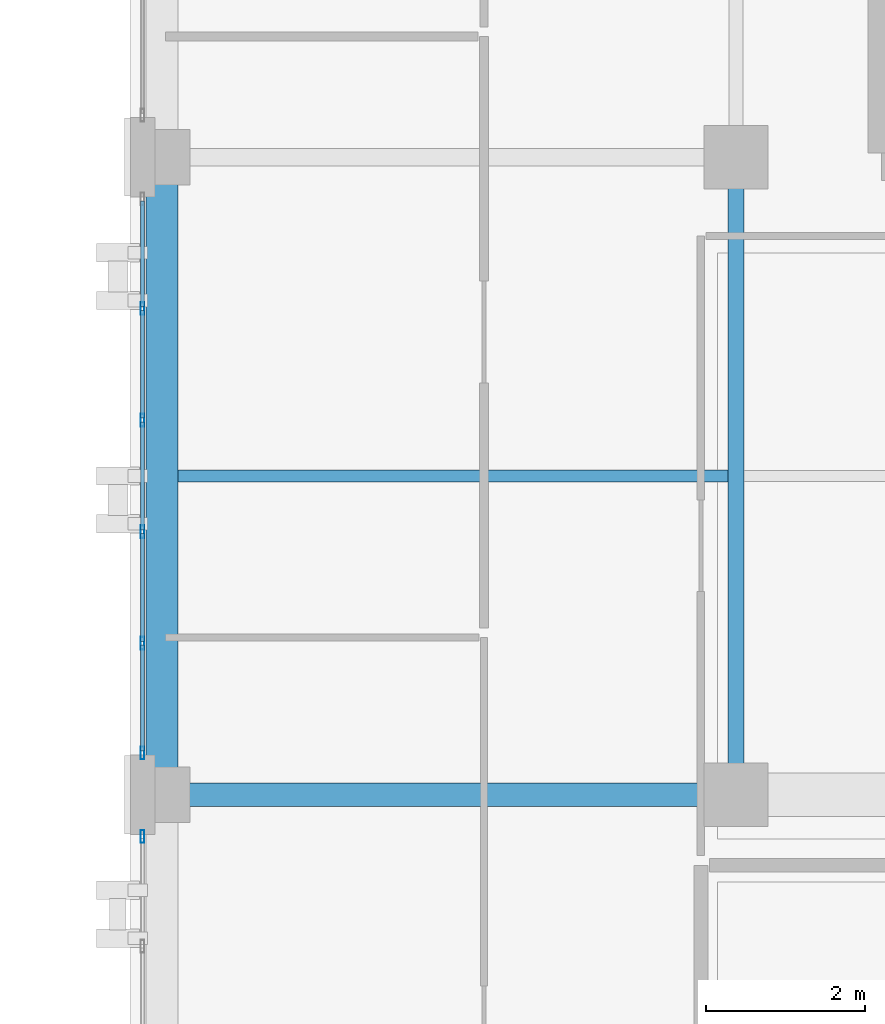
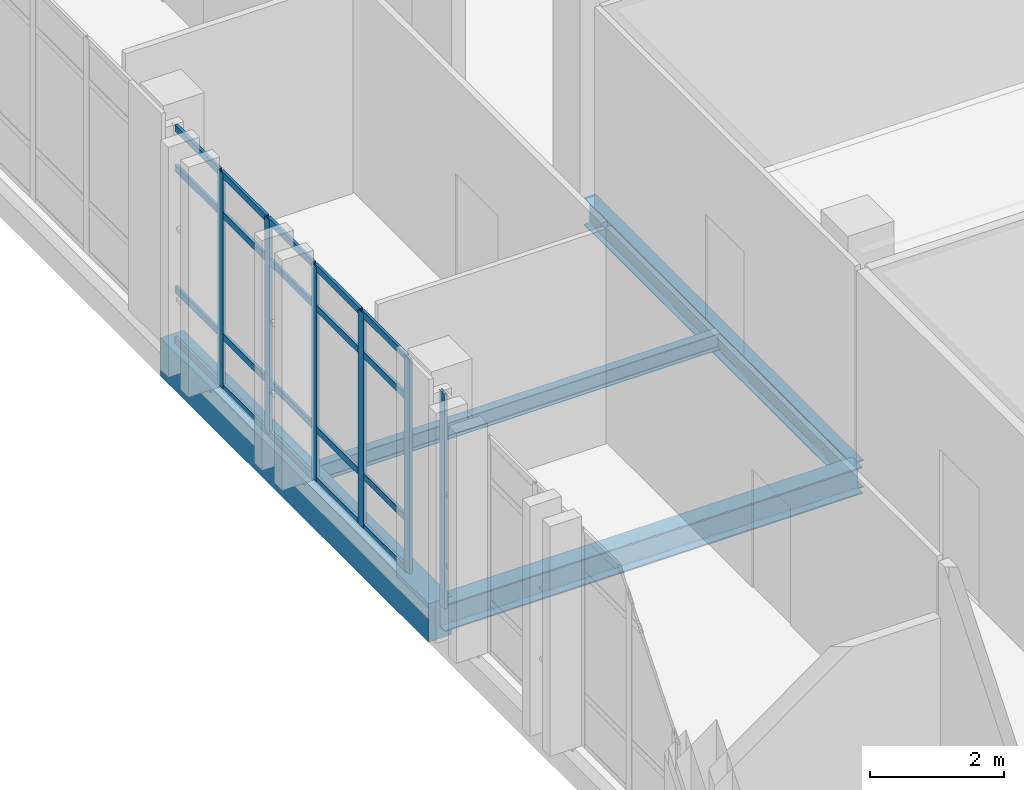
# One storey, part 64 of 193: 26 members, 4 beams, 2 elements without a shape of their own.
"""IFC4 building model written with IfcOpenShell, lengths in metres."""

import ifcopenshell
import ifcopenshell.guid

model = None  # the IFC model being written
_history = None  # IfcOwnerHistory: only IFC2X3 demands one
_inside = {}  # id of a spatial element -> (the spatial element, [elements in it])
_under = {}  # id of a project, library or spatial element -> (it, [spatial elements below it])
_declared = {}  # id of a project -> (the project, [libraries it declares])
_typed = {}  # id of a type object -> (the type object, [elements of that type])
_made_of = {}  # id of a material, layer set ... -> (it, [elements and type objects made of it])


def new_model(schema):
    """Start an empty IFC model of exactly this schema.

    Asked for "IFC4X3", IfcOpenShell would pick the latest addendum, in which some entities
    have other attributes; the version numbers below select the first issue.
    IFC2X3 requires an IfcOwnerHistory on every rooted entity: one is made here for all.
    """
    global model, _history
    if schema == "IFC4X3":
        model = ifcopenshell.file(schema_version=(4, 3, 0, 0))
    else:
        model = ifcopenshell.file(schema=schema)
    _inside.clear()
    _under.clear()
    _declared.clear()
    _typed.clear()
    _made_of.clear()
    _history = None
    if model.schema == "IFC2X3":
        org = make("IfcOrganization", Name="unknown")
        user = make(
            "IfcPersonAndOrganization",
            ThePerson=make("IfcPerson", FamilyName="unknown"),
            TheOrganization=org,
        )
        app = make(
            "IfcApplication",
            ApplicationDeveloper=org,
            Version="unknown",
            ApplicationFullName="unknown",
            ApplicationIdentifier="unknown",
        )
        _history = make(
            "IfcOwnerHistory",
            OwningUser=user,
            OwningApplication=app,
            ChangeAction="ADDED",
            CreationDate=0,
        )
    return model


def make(cls, **values):
    """One entity of the class cls with the attributes given. An attribute that is None is left unset."""
    return model.create_entity(
        cls, **{name: value for name, value in values.items() if value is not None}
    )


def rooted(cls, **values):
    """An entity with a GlobalId (a new one), such as an element, a storey or a relation."""
    return make(cls, GlobalId=ifcopenshell.guid.new(), OwnerHistory=_history, **values)


def si_unit(unit_type, name, prefix=None):
    """IfcSIUnit, for example si_unit("LENGTHUNIT", "METRE", prefix="MILLI")."""
    return make("IfcSIUnit", UnitType=unit_type, Prefix=prefix, Name=name)


def assignment(units):
    """IfcUnitAssignment: the units of a project."""
    return None if units is None else make("IfcUnitAssignment", Units=units)


def point(xyz):
    """IfcCartesianPoint."""
    return None if xyz is None else make("IfcCartesianPoint", Coordinates=xyz)


def direction(xyz):
    """IfcDirection."""
    return None if xyz is None else make("IfcDirection", DirectionRatios=xyz)


def frame(location, z_axis=None, x_axis=None):
    """IfcAxis2Placement3D, a coordinate frame: its origin and axes. An axis left out is left unset."""
    return make(
        "IfcAxis2Placement3D",
        Location=point(location),
        Axis=direction(z_axis),
        RefDirection=direction(x_axis),
    )


def frame_2d(location, x_axis=None):
    """IfcAxis2Placement2D, a coordinate frame in the plane: its origin and x axis."""
    return make(
        "IfcAxis2Placement2D", Location=point(location), RefDirection=direction(x_axis)
    )


def origin():
    """The frame at (0, 0, 0) with its axes left unset."""
    return frame((0.0, 0.0, 0.0))


def origin_2d():
    """The frame at (0, 0) in the plane with its x axis left unset."""
    return frame_2d((0.0, 0.0))


def place(relative_to, where):
    """IfcLocalPlacement: puts the frame where relative to a parent placement (None: the world)."""
    return make(
        "IfcLocalPlacement", PlacementRelTo=relative_to, RelativePlacement=where
    )


def context(
    kind, dimensions, precision=None, world=None, true_north=None, identifier=None
):
    """IfcGeometricRepresentationContext, for example the 3D "Model" context."""
    return make(
        "IfcGeometricRepresentationContext",
        ContextIdentifier=identifier,
        ContextType=kind,
        CoordinateSpaceDimension=dimensions,
        Precision=precision,
        WorldCoordinateSystem=world,
        TrueNorth=true_north,
    )


def subcontext(parent, identifier, kind, view, scale=None):
    """IfcGeometricRepresentationSubContext, for example "Body" below "Model"."""
    return make(
        "IfcGeometricRepresentationSubContext",
        ContextIdentifier=identifier,
        ContextType=kind,
        ParentContext=parent,
        TargetScale=scale,
        TargetView=view,
    )


def project(units=None, contexts=None):
    """IfcProject with its units and contexts."""
    return rooted(
        "IfcProject",
        Name="project",
        RepresentationContexts=contexts,
        UnitsInContext=assignment(units),
    )


def spatial(cls, under=None, at=None, **own):
    """A site, building, storey or space (cls), placed at a placement, below another one or the project."""
    s = rooted(cls, ObjectPlacement=at, **own)
    if under is not None:
        _under.setdefault(under.id(), (under, []))[1].append(s)
    return s


def profile(cls, at=None, kind="AREA", **sizes):
    """A parametric profile (cls). Its sizes go by their IFC names, for example OverallWidth=200.0."""
    return make(cls, ProfileType=kind, Position=at, **sizes)


def rectangle(**sizes):
    """IfcRectangleProfileDef."""
    return profile("IfcRectangleProfileDef", **sizes)


def hollow_rectangle(**sizes):
    """IfcRectangleHollowProfileDef."""
    return profile("IfcRectangleHollowProfileDef", **sizes)


def i_section(**sizes):
    """IfcIShapeProfileDef."""
    return profile("IfcIShapeProfileDef", **sizes)


def extrude(swept, where, along, depth):
    """IfcExtrudedAreaSolid: the profile swept, set in the frame where, extruded along a direction by depth."""
    return make(
        "IfcExtrudedAreaSolid",
        SweptArea=swept,
        Position=where,
        ExtrudedDirection=direction(along),
        Depth=depth,
    )


def shape(context_of_items, identifier, shape_type, items):
    """IfcShapeRepresentation: the items that make up one representation, for example the "Body"."""
    return make(
        "IfcShapeRepresentation",
        ContextOfItems=context_of_items,
        RepresentationIdentifier=identifier,
        RepresentationType=shape_type,
        Items=items,
    )


def material(Name=None, Category=None):
    """IfcMaterial."""
    return make("IfcMaterial", Name=Name, Category=Category)


def layer(
    of_material, thickness, ventilated=None, Name=None, Category=None, Priority=None
):
    """IfcMaterialLayer: one layer of a wall or slab, of a material (None: an air gap)."""
    return make(
        "IfcMaterialLayer",
        Material=of_material,
        LayerThickness=thickness,
        IsVentilated=ventilated,
        Name=Name,
        Category=Category,
        Priority=Priority,
    )


def layer_set(layers, Name=None):
    """IfcMaterialLayerSet."""
    return make("IfcMaterialLayerSet", MaterialLayers=layers, LayerSetName=Name)


def material_profile(
    of_material, cross_section, Name=None, Category=None, Priority=None
):
    """IfcMaterialProfile: a cross section and its material."""
    return make(
        "IfcMaterialProfile",
        Name=Name,
        Material=of_material,
        Profile=cross_section,
        Priority=Priority,
        Category=Category,
    )


def profile_set(profiles, Name=None, composite=None):
    """IfcMaterialProfileSet."""
    return make(
        "IfcMaterialProfileSet",
        Name=Name,
        MaterialProfiles=profiles,
        CompositeProfile=composite,
    )


def made_of(thing, what):
    """Note that an element or type object is made of a material, layer set ...; save() writes the relation."""
    if what is not None:
        _made_of.setdefault(what.id(), (what, []))[1].append(thing)
    return thing


def type_object(cls, material=None, **own):
    """A type object (cls), such as IfcWallType, which elements share."""
    return made_of(rooted(cls, **own), material)


def element(
    cls,
    number,
    at=None,
    inside=None,
    cuts=None,
    type_object=None,
    material=None,
    context=None,
    identifier="Body",
    shape_type=None,
    held_by="IfcProductDefinitionShape",
    body=None,
    shapes=None,
    **own,
):
    """One element of the class cls, such as IfcWall. Its Tag is "e" and its number.

    at: its placement. inside: the storey or other place that contains it. cuts: it is an
    opening in that element (IfcRelVoidsElement). A single representation is given by context,
    identifier, shape_type and body (its items); several are given by shapes. held_by: the class
    of the entity that holds the representations. save() writes the other relations.
    """
    e = rooted(cls, Tag="e%d" % number, ObjectPlacement=at, **own)
    if body is not None:
        shapes = [shape(context, identifier, shape_type, body)]
    if shapes is not None:
        e.Representation = make(held_by, Representations=shapes)
    if inside is not None:
        _inside.setdefault(inside.id(), (inside, []))[1].append(e)
    if cuts is not None:
        rooted(
            "IfcRelVoidsElement", RelatingBuildingElement=cuts, RelatedOpeningElement=e
        )
    if type_object is not None:
        _typed.setdefault(type_object.id(), (type_object, []))[1].append(e)
    return made_of(e, material)


def aggregate(whole, parts):
    """IfcRelAggregates: a whole, such as a stair, and the parts it consists of."""
    return rooted("IfcRelAggregates", RelatingObject=whole, RelatedObjects=parts)


def save(model, path):
    """Write the relations noted so far, then the file.

    IfcRelAggregates (storeys below a building ...), IfcRelContainedInSpatialStructure (elements
    in a storey), IfcRelDefinesByType, IfcRelAssociatesMaterial and IfcRelDeclares: one each for
    every whole, place, type object, material and project.
    """
    for whole, parts in _under.values():
        aggregate(whole, parts)
    for where, things in _inside.values():
        rooted(
            "IfcRelContainedInSpatialStructure",
            RelatedElements=things,
            RelatingStructure=where,
        )
    for kind, things in _typed.values():
        rooted("IfcRelDefinesByType", RelatedObjects=things, RelatingType=kind)
    for what, things in _made_of.values():
        rooted("IfcRelAssociatesMaterial", RelatedObjects=things, RelatingMaterial=what)
    for by, libraries in _declared.values():
        rooted("IfcRelDeclares", RelatingContext=by, RelatedDefinitions=libraries)
    model.write(path)


model = new_model("IFC4")

# Units and contexts
model_context = context("Model", 3, precision=1e-05, world=origin(), true_north=direction((0.0, 1.0)))
body_context = subcontext(model_context, "Body", "Model", "MODEL_VIEW")
ifc_project = project(units=[si_unit("LENGTHUNIT", "METRE"), si_unit("AREAUNIT", "SQUARE_METRE"), si_unit("VOLUMEUNIT", "CUBIC_METRE"), si_unit("PLANEANGLEUNIT", "RADIAN"), si_unit("MASSUNIT", "GRAM", prefix="KILO")], contexts=[model_context])

# Site, building, storey
site_placement = place(None, origin())
site = spatial("IfcSite", under=ifc_project, at=site_placement, CompositionType="ELEMENT")
building_placement = place(site_placement, origin())
building = spatial("IfcBuilding", under=site, at=building_placement, Name="Qalavern Law Courts", CompositionType="ELEMENT")
storey_placement = place(building_placement, frame((0.0, 0.0, 10.199951171875)))
storey = spatial("IfcBuildingStorey", under=building, at=storey_placement, Name="L02", CompositionType="ELEMENT", Elevation=10.199951171875)

# Curtain wall, members
ifc_material_1 = material(Name="Anodised aluminium and insulated glazing", Category="aluminium")
ifc_layer = layer(ifc_material_1, 0.172119140625)
ifc_layer_set = layer_set([ifc_layer], Name="Anodised aluminium and insulated glazing")
curtain_wall_type = type_object("IfcCurtainWallType", Name="ENV-CW-COURT", PredefinedType="USERDEFINED", material=ifc_layer_set)
curtain_wall_1_placement = place(storey_placement, origin())
curtain_wall_1 = element("IfcCurtainWall", 1, at=curtain_wall_1_placement, inside=storey, type_object=curtain_wall_type, Name="V4 unitised curtain wall L02 west 4", ObjectType="UNITISED CURTAIN WALL", PredefinedType="USERDEFINED")
ifc_material_2 = material(Name="Anodised aluminium", Category="aluminium")
ifc_material_profile_1 = material_profile(ifc_material_2, hollow_rectangle(XDim=0.048095703125, YDim=0.159912109375, WallThickness=0.00390625, at=origin_2d()), Name="ALU MULLION 48x160")
ifc_profile_set_1 = profile_set([ifc_material_profile_1], Name="Anodised aluminium")
member_type_1 = type_object("IfcMemberType", Name="ENV-CWM-48x160", PredefinedType="MULLION", material=ifc_profile_set_1)
member_1_placement = place(storey_placement, frame((84.35498046875, 63.5, 0.0), z_axis=(0.0, 0.0, 1.0), x_axis=(1.0, 0.0, 0.0)))
member_1 = element("IfcMember", 2, at=member_1_placement, type_object=member_type_1, Name="CW-03 mullion 2", PredefinedType="MULLION", context=body_context, shape_type="SweptSolid", body=[
    extrude(hollow_rectangle(XDim=0.048095703125, YDim=0.159912109375, WallThickness=0.00390625, at=origin_2d()), origin(), (0.0, 0.0, 1.0), 3.9150390625),
])
member_2_placement = place(storey_placement, frame((84.35498046875, 62.10009765625, 0.0), z_axis=(0.0, 0.0, 1.0), x_axis=(1.0, 0.0, 0.0)))
member_2 = element("IfcMember", 3, at=member_2_placement, type_object=member_type_1, Name="CW-03 mullion 3", PredefinedType="MULLION", context=body_context, shape_type="SweptSolid", body=[
    extrude(hollow_rectangle(XDim=0.048095703125, YDim=0.159912109375, WallThickness=0.00390625, at=origin_2d()), origin(), (0.0, 0.0, 1.0), 3.9150390625),
])
member_3_placement = place(storey_placement, frame((84.35498046875, 60.699951171875, 0.0), z_axis=(0.0, 0.0, 1.0), x_axis=(1.0, 0.0, 0.0)))
member_3 = element("IfcMember", 4, at=member_3_placement, type_object=member_type_1, Name="CW-03 mullion 4", PredefinedType="MULLION", context=body_context, shape_type="SweptSolid", body=[
    extrude(hollow_rectangle(XDim=0.048095703125, YDim=0.159912109375, WallThickness=0.00390625, at=origin_2d()), origin(), (0.0, 0.0, 1.0), 3.9150390625),
])
member_4_placement = place(storey_placement, frame((84.35498046875, 59.300048828125, 0.0), z_axis=(0.0, 0.0, 1.0), x_axis=(1.0, 0.0, 0.0)))
member_4 = element("IfcMember", 5, at=member_4_placement, type_object=member_type_1, Name="CW-03 mullion 5", PredefinedType="MULLION", context=body_context, shape_type="SweptSolid", body=[
    extrude(hollow_rectangle(XDim=0.048095703125, YDim=0.159912109375, WallThickness=0.00390625, at=origin_2d()), origin(), (0.0, 0.0, 1.0), 3.9150390625),
])
member_5_placement = place(storey_placement, frame((84.35498046875, 57.924072265625, 0.0), z_axis=(0.0, 0.0, 1.0), x_axis=(1.0, 0.0, 0.0)))
member_5 = element("IfcMember", 6, at=member_5_placement, type_object=member_type_1, Name="CW-03 mullion 6", PredefinedType="MULLION", context=body_context, shape_type="SweptSolid", body=[
    extrude(hollow_rectangle(XDim=0.048095703125, YDim=0.159912109375, WallThickness=0.00390625, at=origin_2d()), origin(), (0.0, 0.0, 1.0), 3.9150390625),
])

# Curtain wall, member
curtain_wall_2_placement = place(storey_placement, origin())
curtain_wall_2 = element("IfcCurtainWall", 7, at=curtain_wall_2_placement, inside=storey, type_object=curtain_wall_type, Name="V4 unitised curtain wall L02 west 5", ObjectType="UNITISED CURTAIN WALL", PredefinedType="USERDEFINED")
member_6_placement = place(storey_placement, frame((84.35498046875, 56.8759765625, 0.0), z_axis=(0.0, 0.0, 1.0), x_axis=(1.0, 0.0, 0.0)))
member_6 = element("IfcMember", 8, at=member_6_placement, type_object=member_type_1, Name="CW-03 mullion 1", PredefinedType="MULLION", context=body_context, shape_type="SweptSolid", body=[
    extrude(hollow_rectangle(XDim=0.048095703125, YDim=0.159912109375, WallThickness=0.00390625, at=origin_2d()), origin(), (0.0, 0.0, 1.0), 3.9150390625),
])
aggregate(curtain_wall_2, [member_6])

# Member
ifc_material_profile_2 = material_profile(ifc_material_2, hollow_rectangle(XDim=0.048095703125, YDim=0.1201171875, WallThickness=0.00390625, at=origin_2d()), Name="ALU TRANSOM 48x120")
ifc_profile_set_2 = profile_set([ifc_material_profile_2], Name="Anodised aluminium")
member_type_2 = type_object("IfcMemberType", Name="ENV-CWT-48x120", PredefinedType="USERDEFINED", material=ifc_profile_set_2)
member_7_placement = place(storey_placement, frame((84.35498046875, 64.85205078125, 0.024169921875), z_axis=(0.0, -1.0, 0.0), x_axis=(1.0, 0.0, 0.0)))
member_7 = element("IfcMember", 9, at=member_7_placement, type_object=member_type_2, Name="CW-03 transom 1.1", ObjectType="TRANSOM", PredefinedType="USERDEFINED", context=body_context, shape_type="SweptSolid", body=[
    extrude(hollow_rectangle(XDim=0.048095703125, YDim=0.1201171875, WallThickness=0.00390625, at=origin_2d()), origin(), (0.0, 0.0, 1.0), 1.328125),
])

member_8_placement = place(storey_placement, frame((84.35498046875, 64.85205078125, 0.949951171875), z_axis=(0.0, -1.0, 0.0), x_axis=(1.0, 0.0, 0.0)))
member_8 = element("IfcMember", 10, at=member_8_placement, type_object=member_type_2, Name="CW-03 transom 1.2", ObjectType="TRANSOM", PredefinedType="USERDEFINED", context=body_context, shape_type="SweptSolid", body=[
    extrude(hollow_rectangle(XDim=0.048095703125, YDim=0.1201171875, WallThickness=0.00390625, at=origin_2d()), origin(), (0.0, 0.0, 1.0), 1.328125),
])

member_9_placement = place(storey_placement, frame((84.35498046875, 64.85205078125, 3.1650390625), z_axis=(0.0, -1.0, 0.0), x_axis=(1.0, 0.0, 0.0)))
member_9 = element("IfcMember", 11, at=member_9_placement, type_object=member_type_2, Name="CW-03 transom 1.3", ObjectType="TRANSOM", PredefinedType="USERDEFINED", context=body_context, shape_type="SweptSolid", body=[
    extrude(hollow_rectangle(XDim=0.048095703125, YDim=0.1201171875, WallThickness=0.00390625, at=origin_2d()), origin(), (0.0, 0.0, 1.0), 1.328125),
])

member_10_placement = place(storey_placement, frame((84.35498046875, 64.85205078125, 3.89111328125), z_axis=(0.0, -1.0, 0.0), x_axis=(1.0, 0.0, 0.0)))
member_10 = element("IfcMember", 12, at=member_10_placement, type_object=member_type_2, Name="CW-03 transom 1.4", ObjectType="TRANSOM", PredefinedType="USERDEFINED", context=body_context, shape_type="SweptSolid", body=[
    extrude(hollow_rectangle(XDim=0.048095703125, YDim=0.1201171875, WallThickness=0.00390625, at=origin_2d()), origin(), (0.0, 0.0, 1.0), 1.328125),
])

member_11_placement = place(storey_placement, frame((84.35498046875, 63.47607421875, 0.024169921875), z_axis=(0.0, -1.0, 0.0), x_axis=(1.0, 0.0, 0.0)))
member_11 = element("IfcMember", 13, at=member_11_placement, type_object=member_type_2, Name="CW-03 transom 2.1", ObjectType="TRANSOM", PredefinedType="USERDEFINED", context=body_context, shape_type="SweptSolid", body=[
    extrude(hollow_rectangle(XDim=0.048095703125, YDim=0.1201171875, WallThickness=0.00390625, at=origin_2d()), origin(), (0.0, 0.0, 1.0), 1.35205078125),
])

member_12_placement = place(storey_placement, frame((84.35498046875, 63.47607421875, 0.949951171875), z_axis=(0.0, -1.0, 0.0), x_axis=(1.0, 0.0, 0.0)))
member_12 = element("IfcMember", 14, at=member_12_placement, type_object=member_type_2, Name="CW-03 transom 2.2", ObjectType="TRANSOM", PredefinedType="USERDEFINED", context=body_context, shape_type="SweptSolid", body=[
    extrude(hollow_rectangle(XDim=0.048095703125, YDim=0.1201171875, WallThickness=0.00390625, at=origin_2d()), origin(), (0.0, 0.0, 1.0), 1.35205078125),
])

member_13_placement = place(storey_placement, frame((84.35498046875, 63.47607421875, 3.1650390625), z_axis=(0.0, -1.0, 0.0), x_axis=(1.0, 0.0, 0.0)))
member_13 = element("IfcMember", 15, at=member_13_placement, type_object=member_type_2, Name="CW-03 transom 2.3", ObjectType="TRANSOM", PredefinedType="USERDEFINED", context=body_context, shape_type="SweptSolid", body=[
    extrude(hollow_rectangle(XDim=0.048095703125, YDim=0.1201171875, WallThickness=0.00390625, at=origin_2d()), origin(), (0.0, 0.0, 1.0), 1.35205078125),
])

member_14_placement = place(storey_placement, frame((84.35498046875, 63.47607421875, 3.89111328125), z_axis=(0.0, -1.0, 0.0), x_axis=(1.0, 0.0, 0.0)))
member_14 = element("IfcMember", 16, at=member_14_placement, type_object=member_type_2, Name="CW-03 transom 2.4", ObjectType="TRANSOM", PredefinedType="USERDEFINED", context=body_context, shape_type="SweptSolid", body=[
    extrude(hollow_rectangle(XDim=0.048095703125, YDim=0.1201171875, WallThickness=0.00390625, at=origin_2d()), origin(), (0.0, 0.0, 1.0), 1.35205078125),
])

member_15_placement = place(storey_placement, frame((84.35498046875, 62.075927734375, 0.024169921875), z_axis=(0.0, -1.0, 0.0), x_axis=(1.0, 0.0, 0.0)))
member_15 = element("IfcMember", 17, at=member_15_placement, type_object=member_type_2, Name="CW-03 transom 3.1", ObjectType="TRANSOM", PredefinedType="USERDEFINED", context=body_context, shape_type="SweptSolid", body=[
    extrude(hollow_rectangle(XDim=0.048095703125, YDim=0.1201171875, WallThickness=0.00390625, at=origin_2d()), origin(), (0.0, 0.0, 1.0), 1.351806640625),
])

member_16_placement = place(storey_placement, frame((84.35498046875, 62.075927734375, 0.949951171875), z_axis=(0.0, -1.0, 0.0), x_axis=(1.0, 0.0, 0.0)))
member_16 = element("IfcMember", 18, at=member_16_placement, type_object=member_type_2, Name="CW-03 transom 3.2", ObjectType="TRANSOM", PredefinedType="USERDEFINED", context=body_context, shape_type="SweptSolid", body=[
    extrude(hollow_rectangle(XDim=0.048095703125, YDim=0.1201171875, WallThickness=0.00390625, at=origin_2d()), origin(), (0.0, 0.0, 1.0), 1.351806640625),
])

member_17_placement = place(storey_placement, frame((84.35498046875, 62.075927734375, 3.1650390625), z_axis=(0.0, -1.0, 0.0), x_axis=(1.0, 0.0, 0.0)))
member_17 = element("IfcMember", 19, at=member_17_placement, type_object=member_type_2, Name="CW-03 transom 3.3", ObjectType="TRANSOM", PredefinedType="USERDEFINED", context=body_context, shape_type="SweptSolid", body=[
    extrude(hollow_rectangle(XDim=0.048095703125, YDim=0.1201171875, WallThickness=0.00390625, at=origin_2d()), origin(), (0.0, 0.0, 1.0), 1.351806640625),
])

member_18_placement = place(storey_placement, frame((84.35498046875, 62.075927734375, 3.89111328125), z_axis=(0.0, -1.0, 0.0), x_axis=(1.0, 0.0, 0.0)))
member_18 = element("IfcMember", 20, at=member_18_placement, type_object=member_type_2, Name="CW-03 transom 3.4", ObjectType="TRANSOM", PredefinedType="USERDEFINED", context=body_context, shape_type="SweptSolid", body=[
    extrude(hollow_rectangle(XDim=0.048095703125, YDim=0.1201171875, WallThickness=0.00390625, at=origin_2d()), origin(), (0.0, 0.0, 1.0), 1.351806640625),
])

member_19_placement = place(storey_placement, frame((84.35498046875, 60.676025390625, 0.024169921875), z_axis=(0.0, -1.0, 0.0), x_axis=(1.0, 0.0, 0.0)))
member_19 = element("IfcMember", 21, at=member_19_placement, type_object=member_type_2, Name="CW-03 transom 4.1", ObjectType="TRANSOM", PredefinedType="USERDEFINED", context=body_context, shape_type="SweptSolid", body=[
    extrude(hollow_rectangle(XDim=0.048095703125, YDim=0.1201171875, WallThickness=0.00390625, at=origin_2d()), origin(), (0.0, 0.0, 1.0), 1.35205078125),
])

member_20_placement = place(storey_placement, frame((84.35498046875, 60.676025390625, 0.949951171875), z_axis=(0.0, -1.0, 0.0), x_axis=(1.0, 0.0, 0.0)))
member_20 = element("IfcMember", 22, at=member_20_placement, type_object=member_type_2, Name="CW-03 transom 4.2", ObjectType="TRANSOM", PredefinedType="USERDEFINED", context=body_context, shape_type="SweptSolid", body=[
    extrude(hollow_rectangle(XDim=0.048095703125, YDim=0.1201171875, WallThickness=0.00390625, at=origin_2d()), origin(), (0.0, 0.0, 1.0), 1.35205078125),
])

member_21_placement = place(storey_placement, frame((84.35498046875, 60.676025390625, 3.1650390625), z_axis=(0.0, -1.0, 0.0), x_axis=(1.0, 0.0, 0.0)))
member_21 = element("IfcMember", 23, at=member_21_placement, type_object=member_type_2, Name="CW-03 transom 4.3", ObjectType="TRANSOM", PredefinedType="USERDEFINED", context=body_context, shape_type="SweptSolid", body=[
    extrude(hollow_rectangle(XDim=0.048095703125, YDim=0.1201171875, WallThickness=0.00390625, at=origin_2d()), origin(), (0.0, 0.0, 1.0), 1.35205078125),
])

member_22_placement = place(storey_placement, frame((84.35498046875, 60.676025390625, 3.89111328125), z_axis=(0.0, -1.0, 0.0), x_axis=(1.0, 0.0, 0.0)))
member_22 = element("IfcMember", 24, at=member_22_placement, type_object=member_type_2, Name="CW-03 transom 4.4", ObjectType="TRANSOM", PredefinedType="USERDEFINED", context=body_context, shape_type="SweptSolid", body=[
    extrude(hollow_rectangle(XDim=0.048095703125, YDim=0.1201171875, WallThickness=0.00390625, at=origin_2d()), origin(), (0.0, 0.0, 1.0), 1.35205078125),
])

member_23_placement = place(storey_placement, frame((84.35498046875, 59.27587890625, 0.024169921875), z_axis=(0.0, -1.0, 0.0), x_axis=(1.0, 0.0, 0.0)))
member_23 = element("IfcMember", 25, at=member_23_placement, type_object=member_type_2, Name="CW-03 transom 5.1", ObjectType="TRANSOM", PredefinedType="USERDEFINED", context=body_context, shape_type="SweptSolid", body=[
    extrude(hollow_rectangle(XDim=0.048095703125, YDim=0.1201171875, WallThickness=0.00390625, at=origin_2d()), origin(), (0.0, 0.0, 1.0), 1.327880859375),
])

member_24_placement = place(storey_placement, frame((84.35498046875, 59.27587890625, 0.949951171875), z_axis=(0.0, -1.0, 0.0), x_axis=(1.0, 0.0, 0.0)))
member_24 = element("IfcMember", 26, at=member_24_placement, type_object=member_type_2, Name="CW-03 transom 5.2", ObjectType="TRANSOM", PredefinedType="USERDEFINED", context=body_context, shape_type="SweptSolid", body=[
    extrude(hollow_rectangle(XDim=0.048095703125, YDim=0.1201171875, WallThickness=0.00390625, at=origin_2d()), origin(), (0.0, 0.0, 1.0), 1.327880859375),
])

member_25_placement = place(storey_placement, frame((84.35498046875, 59.27587890625, 3.1650390625), z_axis=(0.0, -1.0, 0.0), x_axis=(1.0, 0.0, 0.0)))
member_25 = element("IfcMember", 27, at=member_25_placement, type_object=member_type_2, Name="CW-03 transom 5.3", ObjectType="TRANSOM", PredefinedType="USERDEFINED", context=body_context, shape_type="SweptSolid", body=[
    extrude(hollow_rectangle(XDim=0.048095703125, YDim=0.1201171875, WallThickness=0.00390625, at=origin_2d()), origin(), (0.0, 0.0, 1.0), 1.327880859375),
])

member_26_placement = place(storey_placement, frame((84.35498046875, 59.27587890625, 3.89111328125), z_axis=(0.0, -1.0, 0.0), x_axis=(1.0, 0.0, 0.0)))
member_26 = element("IfcMember", 28, at=member_26_placement, type_object=member_type_2, Name="CW-03 transom 5.4", ObjectType="TRANSOM", PredefinedType="USERDEFINED", context=body_context, shape_type="SweptSolid", body=[
    extrude(hollow_rectangle(XDim=0.048095703125, YDim=0.1201171875, WallThickness=0.00390625, at=origin_2d()), origin(), (0.0, 0.0, 1.0), 1.327880859375),
])

aggregate(curtain_wall_1, [member_1, member_2, member_3, member_4, member_5, member_7, member_8, member_9, member_10, member_11, member_12, member_13, member_14, member_15, member_16, member_17, member_18, member_19, member_20, member_21, member_22, member_23, member_24, member_25, member_26])

# Beams
ifc_material_3 = material(Name="Steel S355", Category="steel")
ifc_material_profile_3 = material_profile(ifc_material_3, i_section(OverallWidth=0.300048828125, OverallDepth=0.489990234375, WebThickness=0.011962890625, FlangeThickness=0.02294921875, FilletRadius=0.027099609375, at=origin_2d()), Name="HEA 500")
ifc_profile_set_3 = profile_set([ifc_material_profile_3], Name="Steel S355")
beam_type_1 = type_object("IfcBeamType", Name="STR-BM-HEA500", PredefinedType="BEAM", material=ifc_profile_set_3)
beam_1_placement = place(storey_placement, frame((84.60009765625, 57.39990234375, -0.534912109375), z_axis=(1.0, 0.0, 0.0), x_axis=(0.0, 1.0, 0.0)))
element("IfcBeam", 29, at=beam_1_placement, inside=storey, type_object=beam_type_1, Name="V4 X-beam 3-1 L02", PredefinedType="BEAM", context=body_context, shape_type="SweptSolid", body=[
    extrude(i_section(OverallWidth=0.300048828125, OverallDepth=0.489990234375, WebThickness=0.011962890625, FlangeThickness=0.02294921875, FilletRadius=0.027099609375, at=origin_2d()), origin(), (0.0, 0.0, 1.0), 7.199951171875),
])
ifc_material_profile_4 = material_profile(ifc_material_3, i_section(OverallWidth=0.199951171875, OverallDepth=0.5, WebThickness=0.01025390625, FlangeThickness=0.01611328125, FilletRadius=0.02099609375, at=origin_2d()), Name="IPE 500")
ifc_profile_set_4 = profile_set([ifc_material_profile_4], Name="Steel S355")
beam_type_2 = type_object("IfcBeamType", Name="STR-BM-IPE500", PredefinedType="BEAM", material=ifc_profile_set_4)
beam_2_placement = place(storey_placement, frame((91.800048828125, 57.39990234375, -0.5400390625), z_axis=(0.0, 1.0, 0.0), x_axis=(-1.0, 0.0, 0.0)))
element("IfcBeam", 30, at=beam_2_placement, inside=storey, type_object=beam_type_2, Name="V4 Y-beam 2-2 L02", PredefinedType="BEAM", context=body_context, shape_type="SweptSolid", body=[
    extrude(i_section(OverallWidth=0.199951171875, OverallDepth=0.5, WebThickness=0.01025390625, FlangeThickness=0.01611328125, FilletRadius=0.02099609375, at=origin_2d()), origin(), (0.0, 0.0, 1.0), 8.0),
])
ifc_material_profile_5 = material_profile(ifc_material_3, i_section(OverallWidth=0.14990234375, OverallDepth=0.300048828125, WebThickness=0.007080078125, FlangeThickness=0.0107421875, FilletRadius=0.014892578125, at=origin_2d()), Name="IPE 300")
ifc_profile_set_5 = profile_set([ifc_material_profile_5], Name="Steel S355")
beam_type_3 = type_object("IfcBeamType", Name="STR-JST-IPE300", PredefinedType="JOIST", material=ifc_profile_set_5)
beam_3_placement = place(storey_placement, frame((84.798095703125, 61.39990234375, -0.43994140625), z_axis=(1.0, 0.0, 0.0), x_axis=(0.0, 1.0, 0.0)))
element("IfcBeam", 31, at=beam_3_placement, inside=storey, type_object=beam_type_3, Name="V4 secondary joist 1.3.1 L02", PredefinedType="JOIST", context=body_context, shape_type="SweptSolid", body=[
    extrude(i_section(OverallWidth=0.14990234375, OverallDepth=0.300048828125, WebThickness=0.007080078125, FlangeThickness=0.0107421875, FilletRadius=0.014892578125, at=origin_2d()), origin(), (0.0, 0.0, 1.0), 6.90380859375),
])
ifc_material_4 = material(Name="Concrete C40/50", Category="concrete")
ifc_material_profile_6 = material_profile(ifc_material_4, rectangle(XDim=0.39990234375, YDim=0.699951171875, at=origin_2d()), Name="RC 400x700")
ifc_profile_set_6 = profile_set([ifc_material_profile_6], Name="Concrete C40/50")
beam_type_4 = type_object("IfcBeamType", Name="STR-SP-RC400x700", PredefinedType="SPANDREL", material=ifc_profile_set_6)
beam_4_placement = place(storey_placement, frame((84.60009765625, 57.39990234375, -0.639892578125), z_axis=(0.0, 1.0, 0.0), x_axis=(-1.0, 0.0, 0.0)))
element("IfcBeam", 32, at=beam_4_placement, inside=storey, type_object=beam_type_4, Name="V4 Y-beam 1-3 L02", PredefinedType="SPANDREL", context=body_context, shape_type="SweptSolid", body=[
    extrude(rectangle(XDim=0.39990234375, YDim=0.699951171875, at=origin_2d()), origin(), (0.0, 0.0, 1.0), 8.0),
])

save(model, "model.ifc")
